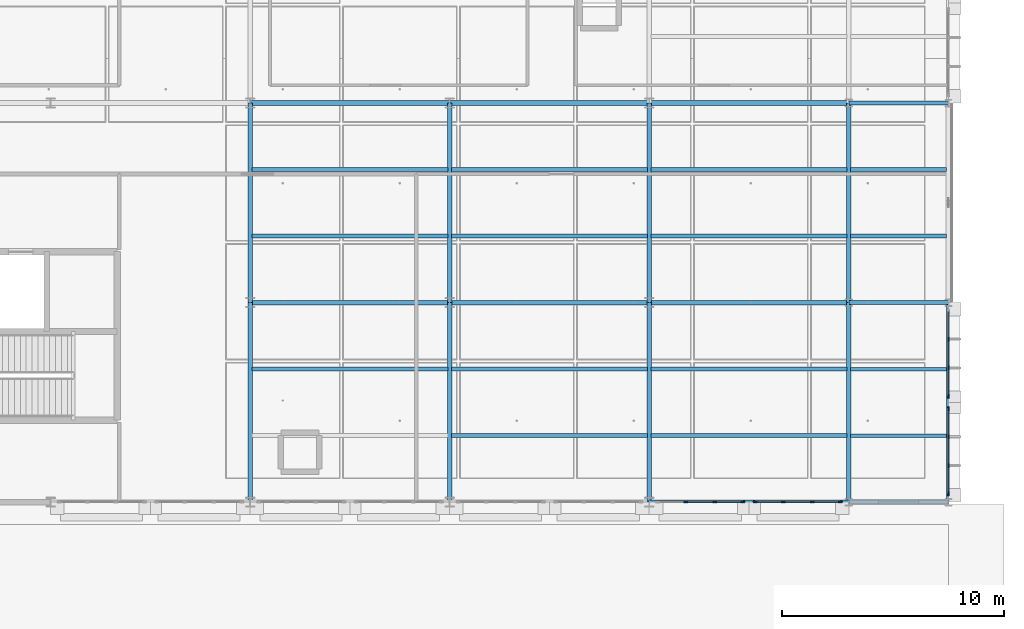
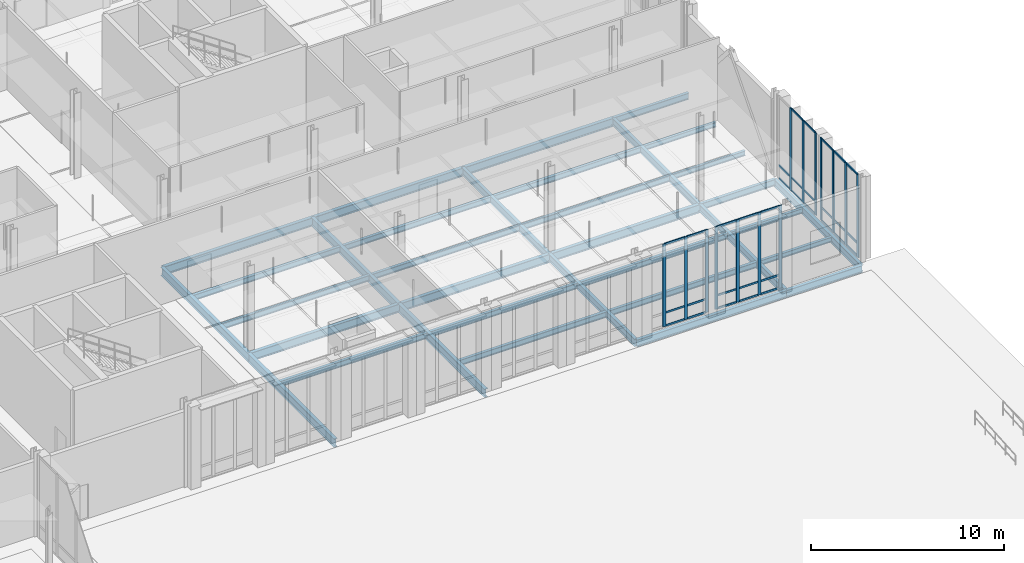
# One storey, part 65 of 180: 46 members, 34 beams, 4 elements without a shape of their own.
"""IFC4 building model written with IfcOpenShell, lengths in metres."""

from ifc_helpers import new_model, si_unit, direction, frame, origin, origin_2d, place, context, subcontext, project, spatial, rectangle, i_section, extrude, material, material_profile, profile_set, type_object, element, aggregate, save


model = new_model("IFC4")

# Units and contexts
model_context = context("Model", 3, precision=1e-05, world=origin(), true_north=direction((0.0, 1.0)))
body_context = subcontext(model_context, "Body", "Model", "MODEL_VIEW")
ifc_project = project(units=[si_unit("LENGTHUNIT", "METRE"), si_unit("AREAUNIT", "SQUARE_METRE"), si_unit("VOLUMEUNIT", "CUBIC_METRE"), si_unit("PLANEANGLEUNIT", "RADIAN"), si_unit("MASSUNIT", "GRAM", prefix="KILO"), si_unit("THERMODYNAMICTEMPERATUREUNIT", "KELVIN"), si_unit("POWERUNIT", "WATT")], contexts=[model_context])

# Site, building, storey
site_placement = place(None, origin())
site = spatial("IfcSite", under=ifc_project, at=site_placement, CompositionType="ELEMENT")
building_placement = place(site_placement, origin())
building = spatial("IfcBuilding", under=site, at=building_placement, Name="Tallowbark Science Centre", CompositionType="ELEMENT")
storey_placement = place(building_placement, origin())
storey = spatial("IfcBuildingStorey", under=building, at=storey_placement, Name="L00", CompositionType="ELEMENT", Elevation=0.0)

# Beams
ifc_material_1 = material(Name="Structural Steel Grade 300PLUS (300 MPa)", Category="steel")
ifc_material_profile_1 = material_profile(ifc_material_1, i_section(OverallWidth=0.177734375, OverallDepth=0.406494140625, WebThickness=0.0078125, FlangeThickness=0.0126953125, FilletRadius=0.011474609375, at=origin_2d()), Name="410UB59.7")
ifc_profile_set_1 = profile_set([ifc_material_profile_1], Name="Structural Steel Grade 300PLUS (300 MPa)")
beam_type_1 = type_object("IfcBeamType", Name="BM-UB410", PredefinedType="BEAM", material=ifc_profile_set_1)
for number, where, z_axis, x_axis, name in (
    (1, (157.5, 81.0, -0.443115234375), (1.0, 0.0, 0.0), (0.0, 1.0, 0.0), "Primary Girder GRDX-L00-1575-1620-810"),
    (2, (157.5, 90.0, -0.443115234375), (1.0, 0.0, 0.0), (0.0, 1.0, 0.0), "Primary Girder GRDX-L00-1575-1620-900"),
):
    element("IfcBeam", number, at=place(storey_placement, frame(where, z_axis=z_axis, x_axis=x_axis)), inside=storey, type_object=beam_type_1, Name=name, PredefinedType="BEAM", context=body_context, shape_type="SweptSolid", body=[
        extrude(i_section(OverallWidth=0.177734375, OverallDepth=0.406494140625, WebThickness=0.0078125, FlangeThickness=0.0126953125, FilletRadius=0.011474609375, at=origin_2d()), origin(), (0.0, 0.0, 1.0), 4.5),
    ])
ifc_material_profile_2 = material_profile(ifc_material_1, i_section(OverallWidth=0.208984375, OverallDepth=0.532958984375, WebThickness=0.01025390625, FlangeThickness=0.015625, FilletRadius=0.013916015625, at=origin_2d()), Name="530UB92.4")
ifc_profile_set_2 = profile_set([ifc_material_profile_2], Name="Structural Steel Grade 300PLUS (300 MPa)")
beam_type_2 = type_object("IfcBeamType", Name="BM-UB530A", PredefinedType="BEAM", material=ifc_profile_set_2)
for number, where, z_axis, x_axis, name in (
    (3, (130.5, 81.0, -0.506591796875), (1.0, 0.0, 0.0), (0.0, 1.0, 0.0), "Primary Girder GRDX-L00-1305-1395-810"),
    (4, (139.5, 81.0, -0.506591796875), (1.0, 0.0, 0.0), (0.0, 1.0, 0.0), "Primary Girder GRDX-L00-1395-1485-810"),
    (5, (148.5, 81.0, -0.506591796875), (1.0, 0.0, 0.0), (0.0, 1.0, 0.0), "Primary Girder GRDX-L00-1485-1575-810"),
    (6, (130.5, 90.0, -0.506591796875), (1.0, 0.0, 0.0), (0.0, 1.0, 0.0), "Primary Girder GRDX-L00-1305-1395-900"),
    (7, (139.5, 90.0, -0.506591796875), (1.0, 0.0, 0.0), (0.0, 1.0, 0.0), "Primary Girder GRDX-L00-1395-1485-900"),
    (8, (148.5, 90.0, -0.506591796875), (1.0, 0.0, 0.0), (0.0, 1.0, 0.0), "Primary Girder GRDX-L00-1485-1575-900"),
):
    element("IfcBeam", number, at=place(storey_placement, frame(where, z_axis=z_axis, x_axis=x_axis)), inside=storey, type_object=beam_type_2, Name=name, PredefinedType="BEAM", context=body_context, shape_type="SweptSolid", body=[
        extrude(i_section(OverallWidth=0.208984375, OverallDepth=0.532958984375, WebThickness=0.01025390625, FlangeThickness=0.015625, FilletRadius=0.013916015625, at=origin_2d()), origin(), (0.0, 0.0, 1.0), 9.0),
    ])
ifc_material_profile_3 = material_profile(ifc_material_1, i_section(OverallWidth=0.208740234375, OverallDepth=0.5283203125, WebThickness=0.009521484375, FlangeThickness=0.01318359375, FilletRadius=0.013916015625, at=origin_2d()), Name="530UB82.0")
ifc_profile_set_3 = profile_set([ifc_material_profile_3], Name="Structural Steel Grade 300PLUS (300 MPa)")
beam_type_3 = type_object("IfcBeamType", Name="BM-UB530B", PredefinedType="BEAM", material=ifc_profile_set_3)
for number, where, z_axis, x_axis, name in (
    (9, (130.5, 72.0, -0.504150390625), (0.0, 1.0, 0.0), (-1.0, 0.0, 0.0), "Primary Girder GRDY-L00-1305-720-810"),
    (10, (130.5, 81.0, -0.504150390625), (0.0, 1.0, 0.0), (-1.0, 0.0, 0.0), "Primary Girder GRDY-L00-1305-810-900"),
    (11, (139.5, 72.0, -0.504150390625), (0.0, 1.0, 0.0), (-1.0, 0.0, 0.0), "Primary Girder GRDY-L00-1395-720-810"),
    (12, (139.5, 81.0, -0.504150390625), (0.0, 1.0, 0.0), (-1.0, 0.0, 0.0), "Primary Girder GRDY-L00-1395-810-900"),
):
    element("IfcBeam", number, at=place(storey_placement, frame(where, z_axis=z_axis, x_axis=x_axis)), inside=storey, type_object=beam_type_3, Name=name, PredefinedType="BEAM", context=body_context, shape_type="SweptSolid", body=[
        extrude(i_section(OverallWidth=0.208740234375, OverallDepth=0.5283203125, WebThickness=0.009521484375, FlangeThickness=0.01318359375, FilletRadius=0.013916015625, at=origin_2d()), origin(), (0.0, 0.0, 1.0), 9.0),
    ])

# Curtain wall, members
ifc_material_2 = material(Name="Unitised Thermally Broken Aluminium and Low-E Double Glazing", Category="aluminium")
curtain_wall_type = type_object("IfcCurtainWallType", Name="CW-SYS-FACADE", PredefinedType="NOTDEFINED", material=ifc_material_2)
curtain_wall_1_placement = place(storey_placement, origin())
curtain_wall_1 = element("IfcCurtainWall", 13, at=curtain_wall_1_placement, inside=storey, type_object=curtain_wall_type, Name="Unitised Curtain Wall OBS-S-148A CW-L00-102", PredefinedType="NOTDEFINED")
ifc_material_3 = material(Name="Anodised Architectural Aluminium Alloy 6063-T6", Category="aluminium")
ifc_material_profile_4 = material_profile(ifc_material_3, rectangle(XDim=0.06494140625, YDim=0.179931640625, at=origin_2d()), Name="ALU65x180")
ifc_profile_set_4 = profile_set([ifc_material_profile_4], Name="Anodised Architectural Aluminium Alloy 6063-T6")
member_type_1 = type_object("IfcMemberType", Name="CWM-MUL-220", PredefinedType="MULLION", material=ifc_profile_set_4)
member_1_placement = place(storey_placement, frame((150.14990234375, 72.0, 0.0), z_axis=(0.0, 0.0, 1.0), x_axis=(0.0, 1.0, 0.0)))
member_1 = element("IfcMember", 14, at=member_1_placement, type_object=member_type_1, Name="CW-01 mullion 2", PredefinedType="MULLION", context=body_context, shape_type="SweptSolid", body=[
    extrude(rectangle(XDim=0.06494140625, YDim=0.179931640625, at=origin_2d()), origin(), (0.0, 0.0, 1.0), 5.219970703125),
])
member_2_placement = place(storey_placement, frame((151.449951171875, 72.0, 0.0), z_axis=(0.0, 0.0, 1.0), x_axis=(0.0, 1.0, 0.0)))
member_2 = element("IfcMember", 15, at=member_2_placement, type_object=member_type_1, Name="CW-01 mullion 3", PredefinedType="MULLION", context=body_context, shape_type="SweptSolid", body=[
    extrude(rectangle(XDim=0.06494140625, YDim=0.179931640625, at=origin_2d()), origin(), (0.0, 0.0, 1.0), 5.219970703125),
])
member_3_placement = place(storey_placement, frame((152.717529296875, 72.0, 0.0), z_axis=(0.0, 0.0, 1.0), x_axis=(0.0, 1.0, 0.0)))
member_3 = element("IfcMember", 16, at=member_3_placement, type_object=member_type_1, Name="CW-01 mullion 4", PredefinedType="MULLION", context=body_context, shape_type="SweptSolid", body=[
    extrude(rectangle(XDim=0.06494140625, YDim=0.179931640625, at=origin_2d()), origin(), (0.0, 0.0, 1.0), 5.219970703125),
])

curtain_wall_2_placement = place(storey_placement, origin())
curtain_wall_2 = element("IfcCurtainWall", 17, at=curtain_wall_2_placement, inside=storey, type_object=curtain_wall_type, Name="Unitised Curtain Wall OBS-S-148B CW-L00-103", PredefinedType="NOTDEFINED")
member_4_placement = place(storey_placement, frame((153.282470703125, 72.0, 0.0), z_axis=(0.0, 0.0, 1.0), x_axis=(0.0, 1.0, 0.0)))
member_4 = element("IfcMember", 18, at=member_4_placement, type_object=member_type_1, Name="CW-01 mullion 1", PredefinedType="MULLION", context=body_context, shape_type="SweptSolid", body=[
    extrude(rectangle(XDim=0.06494140625, YDim=0.179931640625, at=origin_2d()), origin(), (0.0, 0.0, 1.0), 5.219970703125),
])
member_5_placement = place(storey_placement, frame((154.550048828125, 72.0, 0.0), z_axis=(0.0, 0.0, 1.0), x_axis=(0.0, 1.0, 0.0)))
member_5 = element("IfcMember", 19, at=member_5_placement, type_object=member_type_1, Name="CW-01 mullion 2", PredefinedType="MULLION", context=body_context, shape_type="SweptSolid", body=[
    extrude(rectangle(XDim=0.06494140625, YDim=0.179931640625, at=origin_2d()), origin(), (0.0, 0.0, 1.0), 5.219970703125),
])
member_6_placement = place(storey_placement, frame((155.85009765625, 72.0, 0.0), z_axis=(0.0, 0.0, 1.0), x_axis=(0.0, 1.0, 0.0)))
member_6 = element("IfcMember", 20, at=member_6_placement, type_object=member_type_1, Name="CW-01 mullion 3", PredefinedType="MULLION", context=body_context, shape_type="SweptSolid", body=[
    extrude(rectangle(XDim=0.06494140625, YDim=0.179931640625, at=origin_2d()), origin(), (0.0, 0.0, 1.0), 5.219970703125),
])
member_7_placement = place(storey_placement, frame((157.117431640625, 72.0, 0.0), z_axis=(0.0, 0.0, 1.0), x_axis=(0.0, 1.0, 0.0)))
member_7 = element("IfcMember", 21, at=member_7_placement, type_object=member_type_1, Name="CW-01 mullion 4", PredefinedType="MULLION", context=body_context, shape_type="SweptSolid", body=[
    extrude(rectangle(XDim=0.06494140625, YDim=0.179931640625, at=origin_2d()), origin(), (0.0, 0.0, 1.0), 5.219970703125),
])

curtain_wall_3_placement = place(storey_placement, origin())
curtain_wall_3 = element("IfcCurtainWall", 22, at=curtain_wall_3_placement, inside=storey, type_object=curtain_wall_type, Name="Unitised Curtain Wall OBS-E-72A CW-L00-106", PredefinedType="NOTDEFINED")
member_8_placement = place(storey_placement, frame((162.0, 72.382568359375, 0.0), z_axis=(0.0, 0.0, 1.0), x_axis=(-1.0, 0.0, 0.0)))
member_8 = element("IfcMember", 23, at=member_8_placement, type_object=member_type_1, Name="CW-01 mullion 1", PredefinedType="MULLION", context=body_context, shape_type="SweptSolid", body=[
    extrude(rectangle(XDim=0.06494140625, YDim=0.179931640625, at=origin_2d()), origin(), (0.0, 0.0, 1.0), 5.219970703125),
])
member_9_placement = place(storey_placement, frame((162.0, 73.64990234375, 0.0), z_axis=(0.0, 0.0, 1.0), x_axis=(-1.0, 0.0, 0.0)))
member_9 = element("IfcMember", 24, at=member_9_placement, type_object=member_type_1, Name="CW-01 mullion 2", PredefinedType="MULLION", context=body_context, shape_type="SweptSolid", body=[
    extrude(rectangle(XDim=0.06494140625, YDim=0.179931640625, at=origin_2d()), origin(), (0.0, 0.0, 1.0), 5.219970703125),
])
member_10_placement = place(storey_placement, frame((162.0, 74.949951171875, 0.0), z_axis=(0.0, 0.0, 1.0), x_axis=(-1.0, 0.0, 0.0)))
member_10 = element("IfcMember", 25, at=member_10_placement, type_object=member_type_1, Name="CW-01 mullion 3", PredefinedType="MULLION", context=body_context, shape_type="SweptSolid", body=[
    extrude(rectangle(XDim=0.06494140625, YDim=0.179931640625, at=origin_2d()), origin(), (0.0, 0.0, 1.0), 5.219970703125),
])
member_11_placement = place(storey_placement, frame((162.0, 76.217529296875, 0.0), z_axis=(0.0, 0.0, 1.0), x_axis=(-1.0, 0.0, 0.0)))
member_11 = element("IfcMember", 26, at=member_11_placement, type_object=member_type_1, Name="CW-01 mullion 4", PredefinedType="MULLION", context=body_context, shape_type="SweptSolid", body=[
    extrude(rectangle(XDim=0.06494140625, YDim=0.179931640625, at=origin_2d()), origin(), (0.0, 0.0, 1.0), 5.219970703125),
])

curtain_wall_4_placement = place(storey_placement, origin())
curtain_wall_4 = element("IfcCurtainWall", 27, at=curtain_wall_4_placement, inside=storey, type_object=curtain_wall_type, Name="Unitised Curtain Wall OBS-E-72B CW-L00-107", PredefinedType="NOTDEFINED")
member_12_placement = place(storey_placement, frame((162.0, 76.782470703125, 0.0), z_axis=(0.0, 0.0, 1.0), x_axis=(-1.0, 0.0, 0.0)))
member_12 = element("IfcMember", 28, at=member_12_placement, type_object=member_type_1, Name="CW-01 mullion 1", PredefinedType="MULLION", context=body_context, shape_type="SweptSolid", body=[
    extrude(rectangle(XDim=0.06494140625, YDim=0.179931640625, at=origin_2d()), origin(), (0.0, 0.0, 1.0), 5.219970703125),
])
member_13_placement = place(storey_placement, frame((162.0, 78.050048828125, 0.0), z_axis=(0.0, 0.0, 1.0), x_axis=(-1.0, 0.0, 0.0)))
member_13 = element("IfcMember", 29, at=member_13_placement, type_object=member_type_1, Name="CW-01 mullion 2", PredefinedType="MULLION", context=body_context, shape_type="SweptSolid", body=[
    extrude(rectangle(XDim=0.06494140625, YDim=0.179931640625, at=origin_2d()), origin(), (0.0, 0.0, 1.0), 5.219970703125),
])
member_14_placement = place(storey_placement, frame((162.0, 79.35009765625, 0.0), z_axis=(0.0, 0.0, 1.0), x_axis=(-1.0, 0.0, 0.0)))
member_14 = element("IfcMember", 30, at=member_14_placement, type_object=member_type_1, Name="CW-01 mullion 3", PredefinedType="MULLION", context=body_context, shape_type="SweptSolid", body=[
    extrude(rectangle(XDim=0.06494140625, YDim=0.179931640625, at=origin_2d()), origin(), (0.0, 0.0, 1.0), 5.219970703125),
])

# Member
ifc_material_profile_5 = material_profile(ifc_material_3, rectangle(XDim=0.054931640625, YDim=0.1201171875, at=origin_2d()), Name="ALU55x120")
ifc_profile_set_5 = profile_set([ifc_material_profile_5], Name="Anodised Architectural Aluminium Alloy 6063-T6")
member_type_2 = type_object("IfcMemberType", Name="CWM-TRN-150", PredefinedType="USERDEFINED", material=ifc_profile_set_5)
member_15_placement = place(storey_placement, frame((150.1826171875, 72.0, 0.027587890625), z_axis=(1.0, 0.0, 0.0), x_axis=(0.0, 1.0, 0.0)))
member_15 = element("IfcMember", 31, at=member_15_placement, type_object=member_type_2, Name="CW-01 transom 2.1", ObjectType="TRANSOM", PredefinedType="USERDEFINED", context=body_context, shape_type="SweptSolid", body=[
    extrude(rectangle(XDim=0.054931640625, YDim=0.1201171875, at=origin_2d()), origin(), (0.0, 0.0, 1.0), 1.23486328125),
])

member_16_placement = place(storey_placement, frame((150.1826171875, 72.0, 0.85009765625), z_axis=(1.0, 0.0, 0.0), x_axis=(0.0, 1.0, 0.0)))
member_16 = element("IfcMember", 32, at=member_16_placement, type_object=member_type_2, Name="CW-01 transom 2.2", ObjectType="TRANSOM", PredefinedType="USERDEFINED", context=body_context, shape_type="SweptSolid", body=[
    extrude(rectangle(XDim=0.054931640625, YDim=0.1201171875, at=origin_2d()), origin(), (0.0, 0.0, 1.0), 1.23486328125),
])

member_17_placement = place(storey_placement, frame((150.1826171875, 72.0, 5.1923828125), z_axis=(1.0, 0.0, 0.0), x_axis=(0.0, 1.0, 0.0)))
member_17 = element("IfcMember", 33, at=member_17_placement, type_object=member_type_2, Name="CW-01 transom 2.3", ObjectType="TRANSOM", PredefinedType="USERDEFINED", context=body_context, shape_type="SweptSolid", body=[
    extrude(rectangle(XDim=0.054931640625, YDim=0.1201171875, at=origin_2d()), origin(), (0.0, 0.0, 1.0), 1.23486328125),
])

member_18_placement = place(storey_placement, frame((151.482421875, 72.0, 0.027587890625), z_axis=(1.0, 0.0, 0.0), x_axis=(0.0, 1.0, 0.0)))
member_18 = element("IfcMember", 34, at=member_18_placement, type_object=member_type_2, Name="CW-01 transom 3.1", ObjectType="TRANSOM", PredefinedType="USERDEFINED", context=body_context, shape_type="SweptSolid", body=[
    extrude(rectangle(XDim=0.054931640625, YDim=0.1201171875, at=origin_2d()), origin(), (0.0, 0.0, 1.0), 1.20263671875),
])

member_19_placement = place(storey_placement, frame((151.482421875, 72.0, 0.85009765625), z_axis=(1.0, 0.0, 0.0), x_axis=(0.0, 1.0, 0.0)))
member_19 = element("IfcMember", 35, at=member_19_placement, type_object=member_type_2, Name="CW-01 transom 3.2", ObjectType="TRANSOM", PredefinedType="USERDEFINED", context=body_context, shape_type="SweptSolid", body=[
    extrude(rectangle(XDim=0.054931640625, YDim=0.1201171875, at=origin_2d()), origin(), (0.0, 0.0, 1.0), 1.20263671875),
])

member_20_placement = place(storey_placement, frame((151.482421875, 72.0, 5.1923828125), z_axis=(1.0, 0.0, 0.0), x_axis=(0.0, 1.0, 0.0)))
member_20 = element("IfcMember", 36, at=member_20_placement, type_object=member_type_2, Name="CW-01 transom 3.3", ObjectType="TRANSOM", PredefinedType="USERDEFINED", context=body_context, shape_type="SweptSolid", body=[
    extrude(rectangle(XDim=0.054931640625, YDim=0.1201171875, at=origin_2d()), origin(), (0.0, 0.0, 1.0), 1.20263671875),
])

aggregate(curtain_wall_1, [member_1, member_2, member_3, member_15, member_16, member_17, member_18, member_19, member_20])

member_21_placement = place(storey_placement, frame((153.31494140625, 72.0, 0.027587890625), z_axis=(1.0, 0.0, 0.0), x_axis=(0.0, 1.0, 0.0)))
member_21 = element("IfcMember", 37, at=member_21_placement, type_object=member_type_2, Name="CW-01 transom 1.1", ObjectType="TRANSOM", PredefinedType="USERDEFINED", context=body_context, shape_type="SweptSolid", body=[
    extrude(rectangle(XDim=0.054931640625, YDim=0.1201171875, at=origin_2d()), origin(), (0.0, 0.0, 1.0), 1.20263671875),
])

member_22_placement = place(storey_placement, frame((153.31494140625, 72.0, 0.85009765625), z_axis=(1.0, 0.0, 0.0), x_axis=(0.0, 1.0, 0.0)))
member_22 = element("IfcMember", 38, at=member_22_placement, type_object=member_type_2, Name="CW-01 transom 1.2", ObjectType="TRANSOM", PredefinedType="USERDEFINED", context=body_context, shape_type="SweptSolid", body=[
    extrude(rectangle(XDim=0.054931640625, YDim=0.1201171875, at=origin_2d()), origin(), (0.0, 0.0, 1.0), 1.20263671875),
])

member_23_placement = place(storey_placement, frame((153.31494140625, 72.0, 5.1923828125), z_axis=(1.0, 0.0, 0.0), x_axis=(0.0, 1.0, 0.0)))
member_23 = element("IfcMember", 39, at=member_23_placement, type_object=member_type_2, Name="CW-01 transom 1.3", ObjectType="TRANSOM", PredefinedType="USERDEFINED", context=body_context, shape_type="SweptSolid", body=[
    extrude(rectangle(XDim=0.054931640625, YDim=0.1201171875, at=origin_2d()), origin(), (0.0, 0.0, 1.0), 1.20263671875),
])

member_24_placement = place(storey_placement, frame((154.58251953125, 72.0, 0.027587890625), z_axis=(1.0, 0.0, 0.0), x_axis=(0.0, 1.0, 0.0)))
member_24 = element("IfcMember", 40, at=member_24_placement, type_object=member_type_2, Name="CW-01 transom 2.1", ObjectType="TRANSOM", PredefinedType="USERDEFINED", context=body_context, shape_type="SweptSolid", body=[
    extrude(rectangle(XDim=0.054931640625, YDim=0.1201171875, at=origin_2d()), origin(), (0.0, 0.0, 1.0), 1.23486328125),
])

member_25_placement = place(storey_placement, frame((154.58251953125, 72.0, 0.85009765625), z_axis=(1.0, 0.0, 0.0), x_axis=(0.0, 1.0, 0.0)))
member_25 = element("IfcMember", 41, at=member_25_placement, type_object=member_type_2, Name="CW-01 transom 2.2", ObjectType="TRANSOM", PredefinedType="USERDEFINED", context=body_context, shape_type="SweptSolid", body=[
    extrude(rectangle(XDim=0.054931640625, YDim=0.1201171875, at=origin_2d()), origin(), (0.0, 0.0, 1.0), 1.23486328125),
])

member_26_placement = place(storey_placement, frame((154.58251953125, 72.0, 5.1923828125), z_axis=(1.0, 0.0, 0.0), x_axis=(0.0, 1.0, 0.0)))
member_26 = element("IfcMember", 42, at=member_26_placement, type_object=member_type_2, Name="CW-01 transom 2.3", ObjectType="TRANSOM", PredefinedType="USERDEFINED", context=body_context, shape_type="SweptSolid", body=[
    extrude(rectangle(XDim=0.054931640625, YDim=0.1201171875, at=origin_2d()), origin(), (0.0, 0.0, 1.0), 1.23486328125),
])

member_27_placement = place(storey_placement, frame((155.882568359375, 72.0, 0.027587890625), z_axis=(1.0, 0.0, 0.0), x_axis=(0.0, 1.0, 0.0)))
member_27 = element("IfcMember", 43, at=member_27_placement, type_object=member_type_2, Name="CW-01 transom 3.1", ObjectType="TRANSOM", PredefinedType="USERDEFINED", context=body_context, shape_type="SweptSolid", body=[
    extrude(rectangle(XDim=0.054931640625, YDim=0.1201171875, at=origin_2d()), origin(), (0.0, 0.0, 1.0), 1.202392578125),
])

member_28_placement = place(storey_placement, frame((155.882568359375, 72.0, 0.85009765625), z_axis=(1.0, 0.0, 0.0), x_axis=(0.0, 1.0, 0.0)))
member_28 = element("IfcMember", 44, at=member_28_placement, type_object=member_type_2, Name="CW-01 transom 3.2", ObjectType="TRANSOM", PredefinedType="USERDEFINED", context=body_context, shape_type="SweptSolid", body=[
    extrude(rectangle(XDim=0.054931640625, YDim=0.1201171875, at=origin_2d()), origin(), (0.0, 0.0, 1.0), 1.202392578125),
])

member_29_placement = place(storey_placement, frame((155.882568359375, 72.0, 5.1923828125), z_axis=(1.0, 0.0, 0.0), x_axis=(0.0, 1.0, 0.0)))
member_29 = element("IfcMember", 45, at=member_29_placement, type_object=member_type_2, Name="CW-01 transom 3.3", ObjectType="TRANSOM", PredefinedType="USERDEFINED", context=body_context, shape_type="SweptSolid", body=[
    extrude(rectangle(XDim=0.054931640625, YDim=0.1201171875, at=origin_2d()), origin(), (0.0, 0.0, 1.0), 1.202392578125),
])

aggregate(curtain_wall_2, [member_4, member_5, member_6, member_7, member_21, member_22, member_23, member_24, member_25, member_26, member_27, member_28, member_29])

member_30_placement = place(storey_placement, frame((162.0, 72.4150390625, 0.027587890625), z_axis=(0.0, 1.0, 0.0), x_axis=(-1.0, 0.0, 0.0)))
member_30 = element("IfcMember", 46, at=member_30_placement, type_object=member_type_2, Name="CW-01 transom 1.1", ObjectType="TRANSOM", PredefinedType="USERDEFINED", context=body_context, shape_type="SweptSolid", body=[
    extrude(rectangle(XDim=0.054931640625, YDim=0.1201171875, at=origin_2d()), origin(), (0.0, 0.0, 1.0), 1.202392578125),
])

member_31_placement = place(storey_placement, frame((162.0, 72.4150390625, 0.85009765625), z_axis=(0.0, 1.0, 0.0), x_axis=(-1.0, 0.0, 0.0)))
member_31 = element("IfcMember", 47, at=member_31_placement, type_object=member_type_2, Name="CW-01 transom 1.2", ObjectType="TRANSOM", PredefinedType="USERDEFINED", context=body_context, shape_type="SweptSolid", body=[
    extrude(rectangle(XDim=0.054931640625, YDim=0.1201171875, at=origin_2d()), origin(), (0.0, 0.0, 1.0), 1.202392578125),
])

member_32_placement = place(storey_placement, frame((162.0, 72.4150390625, 5.1923828125), z_axis=(0.0, 1.0, 0.0), x_axis=(-1.0, 0.0, 0.0)))
member_32 = element("IfcMember", 48, at=member_32_placement, type_object=member_type_2, Name="CW-01 transom 1.3", ObjectType="TRANSOM", PredefinedType="USERDEFINED", context=body_context, shape_type="SweptSolid", body=[
    extrude(rectangle(XDim=0.054931640625, YDim=0.1201171875, at=origin_2d()), origin(), (0.0, 0.0, 1.0), 1.202392578125),
])

member_33_placement = place(storey_placement, frame((162.0, 73.6826171875, 0.027587890625), z_axis=(0.0, 1.0, 0.0), x_axis=(-1.0, 0.0, 0.0)))
member_33 = element("IfcMember", 49, at=member_33_placement, type_object=member_type_2, Name="CW-01 transom 2.1", ObjectType="TRANSOM", PredefinedType="USERDEFINED", context=body_context, shape_type="SweptSolid", body=[
    extrude(rectangle(XDim=0.054931640625, YDim=0.1201171875, at=origin_2d()), origin(), (0.0, 0.0, 1.0), 1.23486328125),
])

member_34_placement = place(storey_placement, frame((162.0, 73.6826171875, 0.85009765625), z_axis=(0.0, 1.0, 0.0), x_axis=(-1.0, 0.0, 0.0)))
member_34 = element("IfcMember", 50, at=member_34_placement, type_object=member_type_2, Name="CW-01 transom 2.2", ObjectType="TRANSOM", PredefinedType="USERDEFINED", context=body_context, shape_type="SweptSolid", body=[
    extrude(rectangle(XDim=0.054931640625, YDim=0.1201171875, at=origin_2d()), origin(), (0.0, 0.0, 1.0), 1.23486328125),
])

member_35_placement = place(storey_placement, frame((162.0, 73.6826171875, 5.1923828125), z_axis=(0.0, 1.0, 0.0), x_axis=(-1.0, 0.0, 0.0)))
member_35 = element("IfcMember", 51, at=member_35_placement, type_object=member_type_2, Name="CW-01 transom 2.3", ObjectType="TRANSOM", PredefinedType="USERDEFINED", context=body_context, shape_type="SweptSolid", body=[
    extrude(rectangle(XDim=0.054931640625, YDim=0.1201171875, at=origin_2d()), origin(), (0.0, 0.0, 1.0), 1.23486328125),
])

member_36_placement = place(storey_placement, frame((162.0, 74.982421875, 0.027587890625), z_axis=(0.0, 1.0, 0.0), x_axis=(-1.0, 0.0, 0.0)))
member_36 = element("IfcMember", 52, at=member_36_placement, type_object=member_type_2, Name="CW-01 transom 3.1", ObjectType="TRANSOM", PredefinedType="USERDEFINED", context=body_context, shape_type="SweptSolid", body=[
    extrude(rectangle(XDim=0.054931640625, YDim=0.1201171875, at=origin_2d()), origin(), (0.0, 0.0, 1.0), 1.20263671875),
])

member_37_placement = place(storey_placement, frame((162.0, 74.982421875, 0.85009765625), z_axis=(0.0, 1.0, 0.0), x_axis=(-1.0, 0.0, 0.0)))
member_37 = element("IfcMember", 53, at=member_37_placement, type_object=member_type_2, Name="CW-01 transom 3.2", ObjectType="TRANSOM", PredefinedType="USERDEFINED", context=body_context, shape_type="SweptSolid", body=[
    extrude(rectangle(XDim=0.054931640625, YDim=0.1201171875, at=origin_2d()), origin(), (0.0, 0.0, 1.0), 1.20263671875),
])

member_38_placement = place(storey_placement, frame((162.0, 74.982421875, 5.1923828125), z_axis=(0.0, 1.0, 0.0), x_axis=(-1.0, 0.0, 0.0)))
member_38 = element("IfcMember", 54, at=member_38_placement, type_object=member_type_2, Name="CW-01 transom 3.3", ObjectType="TRANSOM", PredefinedType="USERDEFINED", context=body_context, shape_type="SweptSolid", body=[
    extrude(rectangle(XDim=0.054931640625, YDim=0.1201171875, at=origin_2d()), origin(), (0.0, 0.0, 1.0), 1.20263671875),
])

aggregate(curtain_wall_3, [member_8, member_9, member_10, member_11, member_30, member_31, member_32, member_33, member_34, member_35, member_36, member_37, member_38])

member_39_placement = place(storey_placement, frame((162.0, 76.81494140625, 0.027587890625), z_axis=(0.0, 1.0, 0.0), x_axis=(-1.0, 0.0, 0.0)))
member_39 = element("IfcMember", 55, at=member_39_placement, type_object=member_type_2, Name="CW-01 transom 1.1", ObjectType="TRANSOM", PredefinedType="USERDEFINED", context=body_context, shape_type="SweptSolid", body=[
    extrude(rectangle(XDim=0.054931640625, YDim=0.1201171875, at=origin_2d()), origin(), (0.0, 0.0, 1.0), 1.20263671875),
])

member_40_placement = place(storey_placement, frame((162.0, 76.81494140625, 0.85009765625), z_axis=(0.0, 1.0, 0.0), x_axis=(-1.0, 0.0, 0.0)))
member_40 = element("IfcMember", 56, at=member_40_placement, type_object=member_type_2, Name="CW-01 transom 1.2", ObjectType="TRANSOM", PredefinedType="USERDEFINED", context=body_context, shape_type="SweptSolid", body=[
    extrude(rectangle(XDim=0.054931640625, YDim=0.1201171875, at=origin_2d()), origin(), (0.0, 0.0, 1.0), 1.20263671875),
])

member_41_placement = place(storey_placement, frame((162.0, 76.81494140625, 5.1923828125), z_axis=(0.0, 1.0, 0.0), x_axis=(-1.0, 0.0, 0.0)))
member_41 = element("IfcMember", 57, at=member_41_placement, type_object=member_type_2, Name="CW-01 transom 1.3", ObjectType="TRANSOM", PredefinedType="USERDEFINED", context=body_context, shape_type="SweptSolid", body=[
    extrude(rectangle(XDim=0.054931640625, YDim=0.1201171875, at=origin_2d()), origin(), (0.0, 0.0, 1.0), 1.20263671875),
])

member_42_placement = place(storey_placement, frame((162.0, 78.08251953125, 0.027587890625), z_axis=(0.0, 1.0, 0.0), x_axis=(-1.0, 0.0, 0.0)))
member_42 = element("IfcMember", 58, at=member_42_placement, type_object=member_type_2, Name="CW-01 transom 2.1", ObjectType="TRANSOM", PredefinedType="USERDEFINED", context=body_context, shape_type="SweptSolid", body=[
    extrude(rectangle(XDim=0.054931640625, YDim=0.1201171875, at=origin_2d()), origin(), (0.0, 0.0, 1.0), 1.23486328125),
])

member_43_placement = place(storey_placement, frame((162.0, 78.08251953125, 0.85009765625), z_axis=(0.0, 1.0, 0.0), x_axis=(-1.0, 0.0, 0.0)))
member_43 = element("IfcMember", 59, at=member_43_placement, type_object=member_type_2, Name="CW-01 transom 2.2", ObjectType="TRANSOM", PredefinedType="USERDEFINED", context=body_context, shape_type="SweptSolid", body=[
    extrude(rectangle(XDim=0.054931640625, YDim=0.1201171875, at=origin_2d()), origin(), (0.0, 0.0, 1.0), 1.23486328125),
])

member_44_placement = place(storey_placement, frame((162.0, 78.08251953125, 5.1923828125), z_axis=(0.0, 1.0, 0.0), x_axis=(-1.0, 0.0, 0.0)))
member_44 = element("IfcMember", 60, at=member_44_placement, type_object=member_type_2, Name="CW-01 transom 2.3", ObjectType="TRANSOM", PredefinedType="USERDEFINED", context=body_context, shape_type="SweptSolid", body=[
    extrude(rectangle(XDim=0.054931640625, YDim=0.1201171875, at=origin_2d()), origin(), (0.0, 0.0, 1.0), 1.23486328125),
])

member_45_placement = place(storey_placement, frame((162.0, 79.382568359375, 0.027587890625), z_axis=(0.0, 1.0, 0.0), x_axis=(-1.0, 0.0, 0.0)))
member_45 = element("IfcMember", 61, at=member_45_placement, type_object=member_type_2, Name="CW-01 transom 3.1", ObjectType="TRANSOM", PredefinedType="USERDEFINED", context=body_context, shape_type="SweptSolid", body=[
    extrude(rectangle(XDim=0.054931640625, YDim=0.1201171875, at=origin_2d()), origin(), (0.0, 0.0, 1.0), 1.202392578125),
])

member_46_placement = place(storey_placement, frame((162.0, 79.382568359375, 0.85009765625), z_axis=(0.0, 1.0, 0.0), x_axis=(-1.0, 0.0, 0.0)))
member_46 = element("IfcMember", 62, at=member_46_placement, type_object=member_type_2, Name="CW-01 transom 3.2", ObjectType="TRANSOM", PredefinedType="USERDEFINED", context=body_context, shape_type="SweptSolid", body=[
    extrude(rectangle(XDim=0.054931640625, YDim=0.1201171875, at=origin_2d()), origin(), (0.0, 0.0, 1.0), 1.202392578125),
])

aggregate(curtain_wall_4, [member_12, member_13, member_14, member_39, member_40, member_41, member_42, member_43, member_44, member_45, member_46])

# Beams
ifc_material_profile_6 = material_profile(ifc_material_1, i_section(OverallWidth=0.166015625, OverallDepth=0.30712890625, WebThickness=0.006591796875, FlangeThickness=0.01171875, FilletRadius=0.011474609375, at=origin_2d()), Name="310UB46.2")
ifc_profile_set_6 = profile_set([ifc_material_profile_6], Name="Structural Steel Grade 300PLUS (300 MPa)")
beam_type_4 = type_object("IfcBeamType", Name="JST-UB310", PredefinedType="JOIST", material=ifc_profile_set_6)
for number, where, z_axis, x_axis, name in (
    (63, (157.5849609375, 75.0, -0.3935546875), (1.0, 0.0, 0.0), (0.0, 1.0, 0.0), "Composite Floor Joist JSTX-L00-1575-750"),
    (64, (157.5849609375, 78.0, -0.3935546875), (1.0, 0.0, 0.0), (0.0, 1.0, 0.0), "Composite Floor Joist JSTX-L00-1575-780"),
    (65, (157.5849609375, 84.0, -0.3935546875), (1.0, 0.0, 0.0), (0.0, 1.0, 0.0), "Composite Floor Joist JSTX-L00-1575-840"),
    (66, (157.5849609375, 87.0, -0.3935546875), (1.0, 0.0, 0.0), (0.0, 1.0, 0.0), "Composite Floor Joist JSTX-L00-1575-870"),
):
    element("IfcBeam", number, at=place(storey_placement, frame(where, z_axis=z_axis, x_axis=x_axis)), inside=storey, type_object=beam_type_4, Name=name, PredefinedType="JOIST", context=body_context, shape_type="SweptSolid", body=[
        extrude(i_section(OverallWidth=0.166015625, OverallDepth=0.30712890625, WebThickness=0.006591796875, FlangeThickness=0.01171875, FilletRadius=0.011474609375, at=origin_2d()), origin(), (0.0, 0.0, 1.0), 4.330078125),
    ])
ifc_material_profile_7 = material_profile(ifc_material_1, i_section(OverallWidth=0.172119140625, OverallDepth=0.358642578125, WebThickness=0.008056640625, FlangeThickness=0.012939453125, FilletRadius=0.011474609375, at=origin_2d()), Name="360UB56.7")
ifc_profile_set_7 = profile_set([ifc_material_profile_7], Name="Structural Steel Grade 300PLUS (300 MPa)")
beam_type_5 = type_object("IfcBeamType", Name="JST-UB360", PredefinedType="JOIST", material=ifc_profile_set_7)
for number, where, z_axis, x_axis, name in (
    (67, (130.5849609375, 78.0, -0.419189453125), (1.0, 0.0, 0.0), (0.0, 1.0, 0.0), "Composite Floor Joist JSTX-L00-1305-780"),
    (68, (139.5849609375, 75.0, -0.419189453125), (1.0, 0.0, 0.0), (0.0, 1.0, 0.0), "Composite Floor Joist JSTX-L00-1395-750"),
    (69, (139.5849609375, 78.0, -0.419189453125), (1.0, 0.0, 0.0), (0.0, 1.0, 0.0), "Composite Floor Joist JSTX-L00-1395-780"),
    (70, (148.5849609375, 75.0, -0.419189453125), (1.0, 0.0, 0.0), (0.0, 1.0, 0.0), "Composite Floor Joist JSTX-L00-1485-750"),
    (71, (148.5849609375, 78.0, -0.419189453125), (1.0, 0.0, 0.0), (0.0, 1.0, 0.0), "Composite Floor Joist JSTX-L00-1485-780"),
    (72, (130.5849609375, 84.0, -0.419189453125), (1.0, 0.0, 0.0), (0.0, 1.0, 0.0), "Composite Floor Joist JSTX-L00-1305-840"),
    (73, (130.5849609375, 87.0, -0.419189453125), (1.0, 0.0, 0.0), (0.0, 1.0, 0.0), "Composite Floor Joist JSTX-L00-1305-870"),
    (74, (139.5849609375, 84.0, -0.419189453125), (1.0, 0.0, 0.0), (0.0, 1.0, 0.0), "Composite Floor Joist JSTX-L00-1395-840"),
    (75, (139.5849609375, 87.0, -0.419189453125), (1.0, 0.0, 0.0), (0.0, 1.0, 0.0), "Composite Floor Joist JSTX-L00-1395-870"),
    (76, (148.5849609375, 84.0, -0.419189453125), (1.0, 0.0, 0.0), (0.0, 1.0, 0.0), "Composite Floor Joist JSTX-L00-1485-840"),
    (77, (148.5849609375, 87.0, -0.419189453125), (1.0, 0.0, 0.0), (0.0, 1.0, 0.0), "Composite Floor Joist JSTX-L00-1485-870"),
):
    element("IfcBeam", number, at=place(storey_placement, frame(where, z_axis=z_axis, x_axis=x_axis)), inside=storey, type_object=beam_type_5, Name=name, PredefinedType="JOIST", context=body_context, shape_type="SweptSolid", body=[
        extrude(i_section(OverallWidth=0.172119140625, OverallDepth=0.358642578125, WebThickness=0.008056640625, FlangeThickness=0.012939453125, FilletRadius=0.011474609375, at=origin_2d()), origin(), (0.0, 0.0, 1.0), 8.830078125),
    ])
ifc_material_profile_8 = material_profile(ifc_material_1, i_section(OverallWidth=0.18994140625, OverallDepth=0.453857421875, WebThickness=0.008544921875, FlangeThickness=0.0126953125, FilletRadius=0.011474609375, at=origin_2d()), Name="460UB67.1")
ifc_profile_set_8 = profile_set([ifc_material_profile_8], Name="Structural Steel Grade 300PLUS (300 MPa)")
beam_type_6 = type_object("IfcBeamType", Name="SPN-UB460", PredefinedType="SPANDREL", material=ifc_profile_set_8)
beam_1_placement = place(storey_placement, frame((148.5, 72.0, -0.466796875), z_axis=(1.0, 0.0, 0.0), x_axis=(0.0, 1.0, 0.0)))
element("IfcBeam", 78, at=beam_1_placement, inside=storey, type_object=beam_type_6, Name="Primary Girder GRDX-L00-1485-1575-720", PredefinedType="SPANDREL", context=body_context, shape_type="SweptSolid", body=[
    extrude(i_section(OverallWidth=0.18994140625, OverallDepth=0.453857421875, WebThickness=0.008544921875, FlangeThickness=0.0126953125, FilletRadius=0.011474609375, at=origin_2d()), origin(), (0.0, 0.0, 1.0), 9.0),
])
beam_2_placement = place(storey_placement, frame((157.5, 72.0, -0.466796875), z_axis=(1.0, 0.0, 0.0), x_axis=(0.0, 1.0, 0.0)))
element("IfcBeam", 79, at=beam_2_placement, inside=storey, type_object=beam_type_6, Name="Primary Girder GRDX-L00-1575-1620-720", PredefinedType="SPANDREL", context=body_context, shape_type="SweptSolid", body=[
    extrude(i_section(OverallWidth=0.18994140625, OverallDepth=0.453857421875, WebThickness=0.008544921875, FlangeThickness=0.0126953125, FilletRadius=0.011474609375, at=origin_2d()), origin(), (0.0, 0.0, 1.0), 4.5),
])
for number, where, z_axis, x_axis, name in (
    (80, (148.5, 72.0, -0.466796875), (0.0, 1.0, 0.0), (-1.0, 0.0, 0.0), "Primary Girder GRDY-L00-1485-720-810"),
    (81, (148.5, 81.0, -0.466796875), (0.0, 1.0, 0.0), (-1.0, 0.0, 0.0), "Primary Girder GRDY-L00-1485-810-900"),
    (82, (157.5, 72.0, -0.466796875), (0.0, 1.0, 0.0), (-1.0, 0.0, 0.0), "Primary Girder GRDY-L00-1575-720-810"),
    (83, (157.5, 81.0, -0.466796875), (0.0, 1.0, 0.0), (-1.0, 0.0, 0.0), "Primary Girder GRDY-L00-1575-810-900"),
    (84, (162.0, 72.0, -0.466796875), (0.0, 1.0, 0.0), (-1.0, 0.0, 0.0), "Primary Girder GRDY-L00-1620-720-810"),
):
    element("IfcBeam", number, at=place(storey_placement, frame(where, z_axis=z_axis, x_axis=x_axis)), inside=storey, type_object=beam_type_6, Name=name, PredefinedType="SPANDREL", context=body_context, shape_type="SweptSolid", body=[
        extrude(i_section(OverallWidth=0.18994140625, OverallDepth=0.453857421875, WebThickness=0.008544921875, FlangeThickness=0.0126953125, FilletRadius=0.011474609375, at=origin_2d()), origin(), (0.0, 0.0, 1.0), 9.0),
    ])

save(model, "model.ifc")
